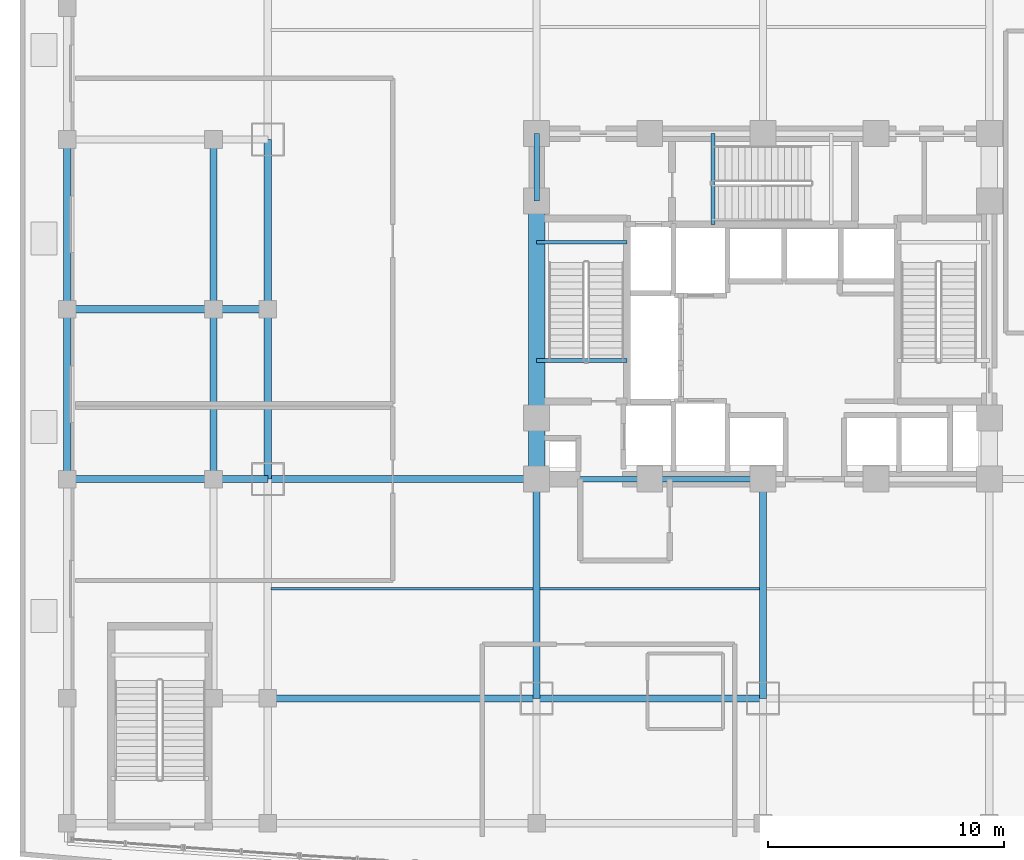
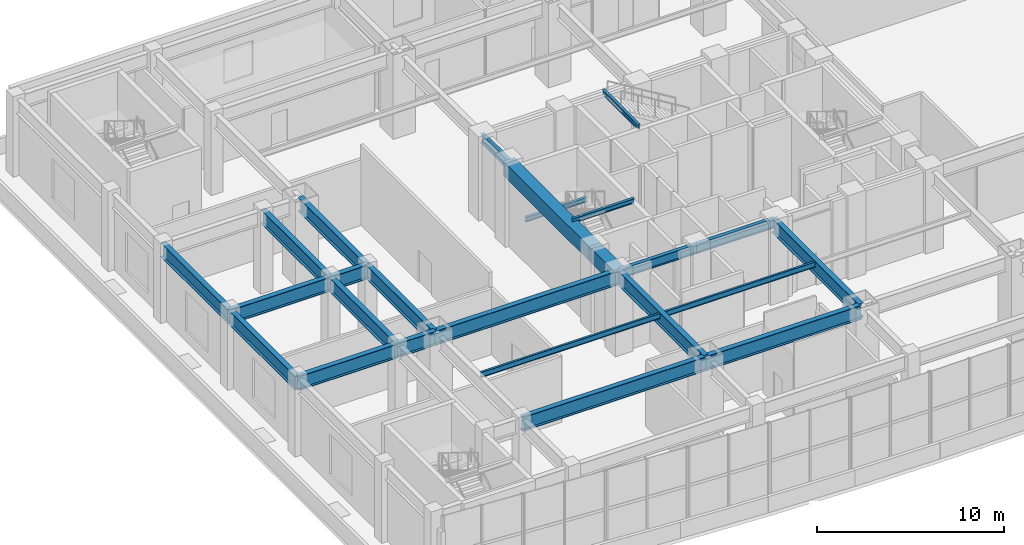
# One storey, part 6 of 24: 25 beams.
"""IFC4 building model written with IfcOpenShell, lengths in metres."""

from ifc_helpers import new_model, si_unit, direction, frame, origin, origin_2d, place, context, subcontext, project, spatial, rectangle, i_section, extrude, material, material_profile, profile_set, type_object, element, save


model = new_model("IFC4")

# Units and contexts
model_context = context("Model", 3, precision=1e-05, world=origin(), true_north=direction((0.0, 1.0)))
body_context = subcontext(model_context, "Body", "Model", "MODEL_VIEW")
ifc_project = project(units=[si_unit("LENGTHUNIT", "METRE"), si_unit("AREAUNIT", "SQUARE_METRE"), si_unit("VOLUMEUNIT", "CUBIC_METRE"), si_unit("PLANEANGLEUNIT", "RADIAN"), si_unit("MASSUNIT", "GRAM", prefix="KILO")], contexts=[model_context])

# Site, building, storey
site_placement = place(None, origin())
site = spatial("IfcSite", under=ifc_project, at=site_placement, CompositionType="ELEMENT")
building_placement = place(site_placement, origin())
building = spatial("IfcBuilding", under=site, at=building_placement, Name="Vantalir Tower", CompositionType="ELEMENT")
storey_placement = place(building_placement, frame((0.0, 0.0, 16.0)))
storey = spatial("IfcBuildingStorey", under=building, at=storey_placement, Name="L03", CompositionType="ELEMENT", Elevation=16.0)

# Beams
ifc_material_1 = material(Name="Concrete C60/75", Category="concrete")
ifc_material_profile_1 = material_profile(ifc_material_1, rectangle(XDim=0.699951171875, YDim=0.949951171875, at=origin_2d()), Name="Concrete C60/75")
ifc_profile_set_1 = profile_set([ifc_material_profile_1], Name="Concrete C60/75")
beam_type_1 = type_object("IfcBeamType", Name="BM-CB-700x950", PredefinedType="USERDEFINED", material=ifc_profile_set_1)
beam_1_placement = place(storey_placement, frame((21.89990234375, 29.60009765625, 4.77490234375), z_axis=(0.0, -1.0, 0.0), x_axis=(1.0, 0.0, 0.0)))
element("IfcBeam", 1, at=beam_1_placement, inside=storey, type_object=beam_type_1, Name="L03 Core Coupling Girder 13", ObjectType="GIRDER", PredefinedType="USERDEFINED", context=body_context, shape_type="SweptSolid", body=[
    extrude(rectangle(XDim=0.699951171875, YDim=0.949951171875, at=origin_2d()), origin(), (0.0, 0.0, 1.0), 9.2001953125),
])
beam_2_placement = place(storey_placement, frame((21.89990234375, 20.39990234375, 4.77490234375), z_axis=(0.0, -1.0, 0.0), x_axis=(1.0, 0.0, 0.0)))
element("IfcBeam", 2, at=beam_2_placement, inside=storey, type_object=beam_type_1, Name="L03 Core Coupling Girder 14", ObjectType="GIRDER", PredefinedType="USERDEFINED", context=body_context, shape_type="SweptSolid", body=[
    extrude(rectangle(XDim=0.699951171875, YDim=0.949951171875, at=origin_2d()), origin(), (0.0, 0.0, 1.0), 2.599853515625),
])
ifc_material_2 = material(Name="Steel S355", Category="steel")
ifc_material_profile_2 = material_profile(ifc_material_2, i_section(OverallWidth=0.166015625, OverallDepth=0.306884765625, WebThickness=0.006591796875, FlangeThickness=0.01171875, at=origin_2d()), Name="Steel S355")
ifc_profile_set_2 = profile_set([ifc_material_profile_2], Name="Steel S355")
beam_type_2 = type_object("IfcBeamType", Name="BM-JS-305x165", PredefinedType="JOIST", material=ifc_profile_set_2)
for number, where, z_axis, x_axis, name in (
    (3, (21.89990234375, 22.8349609375, 5.345947265625), (1.0, 0.0, 0.0), (0.0, 1.0, 0.0), "L04 Stair ST1 Well Nosing Trimmer Beam"),
    (4, (21.89990234375, 27.844970703125, 2.39599609375), (1.0, 0.0, 0.0), (0.0, 1.0, 0.0), "L03 Stair ST1 Half-Landing Support Beam"),
):
    element("IfcBeam", number, at=place(storey_placement, frame(where, z_axis=z_axis, x_axis=x_axis)), inside=storey, type_object=beam_type_2, Name=name, PredefinedType="JOIST", context=body_context, shape_type="SweptSolid", body=[
        extrude(i_section(OverallWidth=0.166015625, OverallDepth=0.306884765625, WebThickness=0.006591796875, FlangeThickness=0.01171875, at=origin_2d()), origin(), (0.0, 0.0, 1.0), 3.840087890625),
    ])
beam_3_placement = place(storey_placement, frame((29.385009765625, 28.60009765625, 5.345947265625), z_axis=(0.0, 1.0, 0.0), x_axis=(-1.0, 0.0, 0.0)))
element("IfcBeam", 5, at=beam_3_placement, inside=storey, type_object=beam_type_2, Name="L04 Stair ST3 Well Nosing Trimmer Beam", PredefinedType="JOIST", context=body_context, shape_type="SweptSolid", body=[
    extrude(i_section(OverallWidth=0.166015625, OverallDepth=0.306884765625, WebThickness=0.006591796875, FlangeThickness=0.01171875, at=origin_2d()), origin(), (0.0, 0.0, 1.0), 3.849853515625),
])
ifc_material_profile_3 = material_profile(ifc_material_2, i_section(OverallWidth=0.1259765625, OverallDepth=0.35302734375, WebThickness=0.006591796875, FlangeThickness=0.0107421875, at=origin_2d()), Name="Steel S355")
ifc_profile_set_3 = profile_set([ifc_material_profile_3], Name="Steel S355")
beam_type_3 = type_object("IfcBeamType", Name="BM-JS-356x127", PredefinedType="JOIST", material=ifc_profile_set_3)
beam_4_placement = place(storey_placement, frame((10.64501953125, 13.14990234375, 5.073974609375), z_axis=(1.0, 0.0, 0.0), x_axis=(0.0, 1.0, 0.0)))
element("IfcBeam", 6, at=beam_4_placement, inside=storey, type_object=beam_type_3, Name="L03 Secondary Composite Joist 01", PredefinedType="JOIST", context=body_context, shape_type="SweptSolid", body=[
    extrude(i_section(OverallWidth=0.1259765625, OverallDepth=0.35302734375, WebThickness=0.006591796875, FlangeThickness=0.0107421875, at=origin_2d()), origin(), (0.0, 0.0, 1.0), 11.10986328125),
])
beam_5_placement = place(storey_placement, frame((22.044921875, 13.14990234375, 5.073974609375), z_axis=(1.0, 0.0, 0.0), x_axis=(0.0, 1.0, 0.0)))
element("IfcBeam", 7, at=beam_5_placement, inside=storey, type_object=beam_type_3, Name="L03 Secondary Composite Joist 03", PredefinedType="JOIST", context=body_context, shape_type="SweptSolid", body=[
    extrude(i_section(OverallWidth=0.1259765625, OverallDepth=0.35302734375, WebThickness=0.006591796875, FlangeThickness=0.0107421875, at=origin_2d()), origin(), (0.0, 0.0, 1.0), 9.31005859375),
])
ifc_material_profile_4 = material_profile(ifc_material_2, i_section(OverallWidth=0.30810546875, OverallDepth=0.927001953125, WebThickness=0.01953125, FlangeThickness=0.031982421875, at=origin_2d()), Name="Steel S355")
ifc_profile_set_4 = profile_set([ifc_material_profile_4], Name="Steel S355")
beam_type_4 = type_object("IfcBeamType", Name="BM-PG-914x305", PredefinedType="USERDEFINED", material=ifc_profile_set_4)
beam_6_placement = place(storey_placement, frame((10.5, 8.5, 4.785888671875), z_axis=(1.0, 0.0, 0.0), x_axis=(0.0, 1.0, 0.0)))
element("IfcBeam", 8, at=beam_6_placement, inside=storey, type_object=beam_type_4, Name="L03 Podium E-W Girder 08", ObjectType="GIRDER", PredefinedType="USERDEFINED", context=body_context, shape_type="SweptSolid", body=[
    extrude(i_section(OverallWidth=0.30810546875, OverallDepth=0.927001953125, WebThickness=0.01953125, FlangeThickness=0.031982421875, at=origin_2d()), origin(), (0.0, 0.0, 1.0), 11.39990234375),
])
beam_7_placement = place(storey_placement, frame((21.89990234375, 8.5, 4.785888671875), z_axis=(1.0, 0.0, 0.0), x_axis=(0.0, 1.0, 0.0)))
element("IfcBeam", 9, at=beam_7_placement, inside=storey, type_object=beam_type_4, Name="L03 Podium E-W Girder 09", ObjectType="GIRDER", PredefinedType="USERDEFINED", context=body_context, shape_type="SweptSolid", body=[
    extrude(i_section(OverallWidth=0.30810546875, OverallDepth=0.927001953125, WebThickness=0.01953125, FlangeThickness=0.031982421875, at=origin_2d()), origin(), (0.0, 0.0, 1.0), 9.60009765625),
])
beam_8_placement = place(storey_placement, frame((2.0, 17.800048828125, 4.785888671875), z_axis=(1.0, 0.0, 0.0), x_axis=(0.0, 1.0, 0.0)))
element("IfcBeam", 10, at=beam_8_placement, inside=storey, type_object=beam_type_4, Name="L03 Podium E-W Girder 12", ObjectType="GIRDER", PredefinedType="USERDEFINED", context=body_context, shape_type="SweptSolid", body=[
    extrude(i_section(OverallWidth=0.30810546875, OverallDepth=0.927001953125, WebThickness=0.01953125, FlangeThickness=0.031982421875, at=origin_2d()), origin(), (0.0, 0.0, 1.0), 6.199951171875),
])
beam_9_placement = place(storey_placement, frame((8.199951171875, 17.800048828125, 4.785888671875), z_axis=(1.0, 0.0, 0.0), x_axis=(0.0, 1.0, 0.0)))
element("IfcBeam", 11, at=beam_9_placement, inside=storey, type_object=beam_type_4, Name="L03 Podium E-W Girder 13", ObjectType="GIRDER", PredefinedType="USERDEFINED", context=body_context, shape_type="SweptSolid", body=[
    extrude(i_section(OverallWidth=0.30810546875, OverallDepth=0.927001953125, WebThickness=0.01953125, FlangeThickness=0.031982421875, at=origin_2d()), origin(), (0.0, 0.0, 1.0), 2.300048828125),
])
beam_10_placement = place(storey_placement, frame((10.5, 17.800048828125, 4.785888671875), z_axis=(1.0, 0.0, 0.0), x_axis=(0.0, 1.0, 0.0)))
element("IfcBeam", 12, at=beam_10_placement, inside=storey, type_object=beam_type_4, Name="L03 Podium E-W Girder 14", ObjectType="GIRDER", PredefinedType="USERDEFINED", context=body_context, shape_type="SweptSolid", body=[
    extrude(i_section(OverallWidth=0.30810546875, OverallDepth=0.927001953125, WebThickness=0.01953125, FlangeThickness=0.031982421875, at=origin_2d()), origin(), (0.0, 0.0, 1.0), 11.39990234375),
])
beam_11_placement = place(storey_placement, frame((2.0, 25.0, 4.785888671875), z_axis=(1.0, 0.0, 0.0), x_axis=(0.0, 1.0, 0.0)))
element("IfcBeam", 13, at=beam_11_placement, inside=storey, type_object=beam_type_4, Name="L03 Podium E-W Girder 20", ObjectType="GIRDER", PredefinedType="USERDEFINED", context=body_context, shape_type="SweptSolid", body=[
    extrude(i_section(OverallWidth=0.30810546875, OverallDepth=0.927001953125, WebThickness=0.01953125, FlangeThickness=0.031982421875, at=origin_2d()), origin(), (0.0, 0.0, 1.0), 6.199951171875),
])
beam_12_placement = place(storey_placement, frame((8.199951171875, 25.0, 4.785888671875), z_axis=(1.0, 0.0, 0.0), x_axis=(0.0, 1.0, 0.0)))
element("IfcBeam", 14, at=beam_12_placement, inside=storey, type_object=beam_type_4, Name="L03 Podium E-W Girder 21", ObjectType="GIRDER", PredefinedType="USERDEFINED", context=body_context, shape_type="SweptSolid", body=[
    extrude(i_section(OverallWidth=0.30810546875, OverallDepth=0.927001953125, WebThickness=0.01953125, FlangeThickness=0.031982421875, at=origin_2d()), origin(), (0.0, 0.0, 1.0), 2.300048828125),
])
for number, where, z_axis, x_axis, name in (
    (15, (2.0, 17.800048828125, 4.785888671875), (0.0, 1.0, 0.0), (-1.0, 0.0, 0.0), "L03 Podium N-S Girder 39"),
    (16, (2.0, 25.0, 4.785888671875), (0.0, 1.0, 0.0), (-1.0, 0.0, 0.0), "L03 Podium N-S Girder 40"),
    (17, (8.199951171875, 17.800048828125, 4.785888671875), (0.0, 1.0, 0.0), (-1.0, 0.0, 0.0), "L03 Podium N-S Girder 44"),
    (18, (8.199951171875, 25.0, 4.785888671875), (0.0, 1.0, 0.0), (-1.0, 0.0, 0.0), "L03 Podium N-S Girder 45"),
    (19, (10.5, 17.800048828125, 4.785888671875), (0.0, 1.0, 0.0), (-1.0, 0.0, 0.0), "L03 Podium N-S Girder 48"),
    (20, (10.5, 25.0, 4.785888671875), (0.0, 1.0, 0.0), (-1.0, 0.0, 0.0), "L03 Podium N-S Girder 49"),
):
    element("IfcBeam", number, at=place(storey_placement, frame(where, z_axis=z_axis, x_axis=x_axis)), inside=storey, type_object=beam_type_4, Name=name, ObjectType="GIRDER", PredefinedType="USERDEFINED", context=body_context, shape_type="SweptSolid", body=[
        extrude(i_section(OverallWidth=0.30810546875, OverallDepth=0.927001953125, WebThickness=0.01953125, FlangeThickness=0.031982421875, at=origin_2d()), origin(), (0.0, 0.0, 1.0), 7.199951171875),
    ])
for number, where, z_axis, x_axis, name in (
    (21, (21.89990234375, 8.5, 4.785888671875), (0.0, 1.0, 0.0), (-1.0, 0.0, 0.0), "L03 Podium N-S Girder 53"),
    (22, (31.5, 8.5, 4.785888671875), (0.0, 1.0, 0.0), (-1.0, 0.0, 0.0), "L03 Podium N-S Girder 60"),
):
    element("IfcBeam", number, at=place(storey_placement, frame(where, z_axis=z_axis, x_axis=x_axis)), inside=storey, type_object=beam_type_4, Name=name, ObjectType="GIRDER", PredefinedType="USERDEFINED", context=body_context, shape_type="SweptSolid", body=[
        extrude(i_section(OverallWidth=0.30810546875, OverallDepth=0.927001953125, WebThickness=0.01953125, FlangeThickness=0.031982421875, at=origin_2d()), origin(), (0.0, 0.0, 1.0), 9.300048828125),
    ])
ifc_material_profile_5 = material_profile(ifc_material_2, i_section(OverallWidth=0.22998046875, OverallDepth=0.616943359375, WebThickness=0.01318359375, FlangeThickness=0.022216796875, at=origin_2d()), Name="Steel S355")
ifc_profile_set_5 = profile_set([ifc_material_profile_5], Name="Steel S355")
beam_type_5 = type_object("IfcBeamType", Name="BM-RB-610x229", PredefinedType="BEAM", material=ifc_profile_set_5)
for number, where, z_axis, x_axis, name in (
    (23, (21.89990234375, 17.800048828125, 4.94189453125), (1.0, 0.0, 0.0), (0.0, 1.0, 0.0), "L03 Core Coupling Girder 01"),
    (24, (26.699951171875, 17.800048828125, 4.94189453125), (1.0, 0.0, 0.0), (0.0, 1.0, 0.0), "L03 Core Coupling Girder 02"),
):
    element("IfcBeam", number, at=place(storey_placement, frame(where, z_axis=z_axis, x_axis=x_axis)), inside=storey, type_object=beam_type_5, Name=name, PredefinedType="BEAM", context=body_context, shape_type="SweptSolid", body=[
        extrude(i_section(OverallWidth=0.22998046875, OverallDepth=0.616943359375, WebThickness=0.01318359375, FlangeThickness=0.022216796875, at=origin_2d()), origin(), (0.0, 0.0, 1.0), 4.800048828125),
    ])
beam_13_placement = place(storey_placement, frame((21.89990234375, 32.449951171875, 4.94189453125), z_axis=(0.0, -1.0, 0.0), x_axis=(1.0, 0.0, 0.0)))
element("IfcBeam", 25, at=beam_13_placement, inside=storey, type_object=beam_type_5, Name="L03 Core Coupling Girder 12", PredefinedType="BEAM", context=body_context, shape_type="SweptSolid", body=[
    extrude(i_section(OverallWidth=0.22998046875, OverallDepth=0.616943359375, WebThickness=0.01318359375, FlangeThickness=0.022216796875, at=origin_2d()), origin(), (0.0, 0.0, 1.0), 2.849853515625),
])

save(model, "model.ifc")
